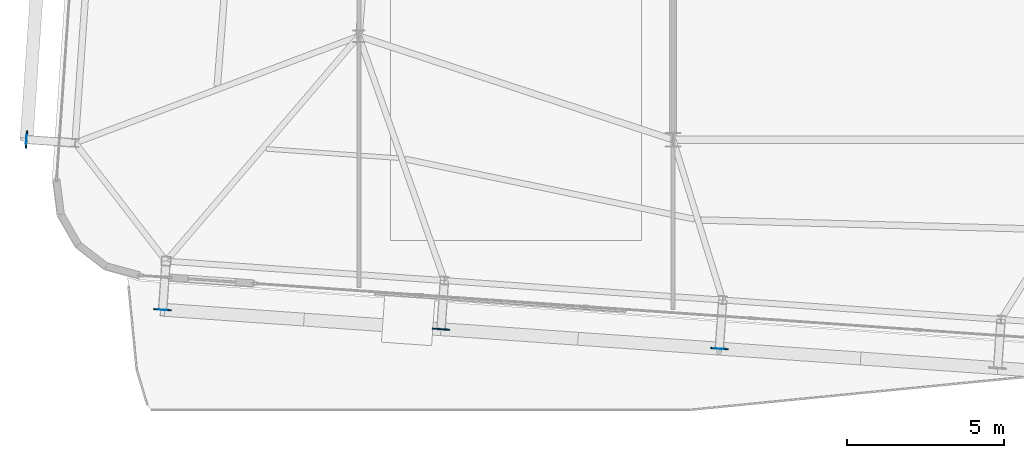
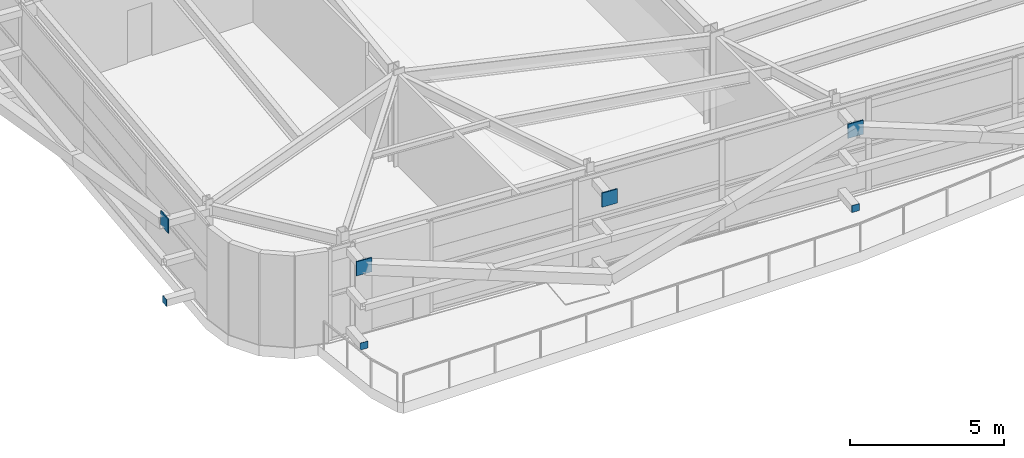
# One storey, part 25 of 36: 7 plates.
"""IFC4 building model written with IfcOpenShell, lengths in metres."""

from ifc_helpers import new_model, si_unit, direction, frame, origin, origin_2d, place, context, subcontext, project, spatial, rectangle, extrude, source, transform, mapped, material, layer, layer_set, type_object, element, save


model = new_model("IFC4")

# Units and contexts
model_context = context("Model", 3, precision=1e-05, world=origin(), true_north=direction((0.0, 1.0)))
body_context = subcontext(model_context, "Body", "Model", "MODEL_VIEW")
ifc_project = project(units=[si_unit("LENGTHUNIT", "METRE"), si_unit("AREAUNIT", "SQUARE_METRE"), si_unit("VOLUMEUNIT", "CUBIC_METRE"), si_unit("PLANEANGLEUNIT", "RADIAN"), si_unit("MASSUNIT", "GRAM", prefix="KILO")], contexts=[model_context])

# Site, building, storey
site_placement = place(None, origin())
site = spatial("IfcSite", under=ifc_project, at=site_placement, CompositionType="ELEMENT")
building_placement = place(site_placement, origin())
building = spatial("IfcBuilding", under=site, at=building_placement, Name="Taldren Reach Tower", CompositionType="ELEMENT")
storey_placement = place(building_placement, frame((0.0, 0.0, 116.550048828125)))
storey = spatial("IfcBuildingStorey", under=building, at=storey_placement, Name="L35", CompositionType="ELEMENT", Elevation=116.550048828125)

# Plates
ifc_material = material(Name="Steel Gr 450 (C450L0)", Category="steel")
ifc_layer_1 = layer(ifc_material, 0.0400390625)
ifc_layer_set_1 = layer_set([ifc_layer_1], Name="Steel Gr 450 (C450L0)")
plate_type_1 = type_object("IfcPlateType", Name="PL-GUSSET-40", PredefinedType="SHEET", material=ifc_layer_set_1)
shared_shape_1 = source(origin(), body_context, "Body", "SweptSolid", [
    extrude(rectangle(XDim=0.56005859375, YDim=0.0400390625, at=origin_2d()), origin(), (0.0, 0.0, 1.0), 0.56005859375),
])
for number, where, z_axis, x_axis, name in (
    (1, (11.75537109375, 3.792236328125, 3.06982421875), (0.0, 0.0, 1.0), (0.99756405026, -0.069756473744, 0.0), "Exoskeleton star-node gusset plate B3-S1 L35"),
    (2, (20.61376953125, 3.1728515625, 3.06982421875), (0.0, 0.0, 1.0), (0.99756405026, -0.069756473744, 0.0), "Exoskeleton star-node gusset plate B3-S2 L35"),
    (3, (29.47216796875, 2.55322265625, 3.06982421875), (0.0, 0.0, 1.0), (0.99756405026, -0.069756473744, 0.0), "Exoskeleton star-node gusset plate B3-S3 L35"),
    (4, (7.422607421875, 9.20751953125, 3.06982421875), (0.0, 0.0, 1.0), (0.069756473744, 0.99756405026, 0.0), "Exoskeleton star-node gusset plate B3-W1 L35"),
):
    element("IfcPlate", number, at=place(storey_placement, frame(where, z_axis=z_axis, x_axis=x_axis)), inside=storey, type_object=plate_type_1, Name=name, PredefinedType="SHEET", context=body_context, shape_type="MappedRepresentation", body=[
        mapped(shared_shape_1, transform((0.0, 0.0, 0.0), scale=1.0)),
    ])
ifc_layer_2 = layer(ifc_material, 0.011962890625)
ifc_layer_set_2 = layer_set([ifc_layer_2], Name="Steel Gr 450 (C450L0)")
plate_type_2 = type_object("IfcPlateType", Name="PL-CAP-275", PredefinedType="SHEET", material=ifc_layer_set_2)
shared_shape_2 = source(origin(), body_context, "Body", "SweptSolid", [
    extrude(rectangle(XDim=0.27490234375, YDim=0.011962890625, at=origin_2d()), origin(), (0.0, 0.0, 1.0), 0.27490234375),
])
for number, where, z_axis, x_axis, name in (
    (5, (11.755126953125, 3.7861328125, 0.08251953125), (0.0, 0.0, 1.0), (0.99756405026, -0.069756473744, 0.0), "Tie strut end cap plate B3-S1 L35"),
    (6, (29.4716796875, 2.54736328125, 0.08251953125), (0.0, 0.0, 1.0), (0.99756405026, -0.069756473744, 0.0), "Tie strut end cap plate B3-S3 L35"),
):
    element("IfcPlate", number, at=place(storey_placement, frame(where, z_axis=z_axis, x_axis=x_axis)), inside=storey, type_object=plate_type_2, Name=name, PredefinedType="SHEET", context=body_context, shape_type="MappedRepresentation", body=[
        mapped(shared_shape_2, transform((0.0, 0.0, 0.0), scale=1.0)),
    ])
shared_shape_3 = source(origin(), body_context, "Body", "SweptSolid", [
    extrude(rectangle(XDim=0.011962890625, YDim=0.27490234375, at=origin_2d()), origin(), (0.0, 0.0, 1.0), 0.27490234375),
])
plate_placement = place(storey_placement, frame((7.416748046875, 9.2080078125, 0.08251953125), z_axis=(0.0, 0.0, 1.0), x_axis=(0.99756405026, -0.069756473744, 0.0)))
element("IfcPlate", 7, at=plate_placement, inside=storey, type_object=plate_type_2, Name="Tie strut end cap plate B3-W1 L35", PredefinedType="SHEET", context=body_context, shape_type="MappedRepresentation", body=[
    mapped(shared_shape_3, transform((0.0, 0.0, 0.0), scale=1.0)),
])

save(model, "model.ifc")
